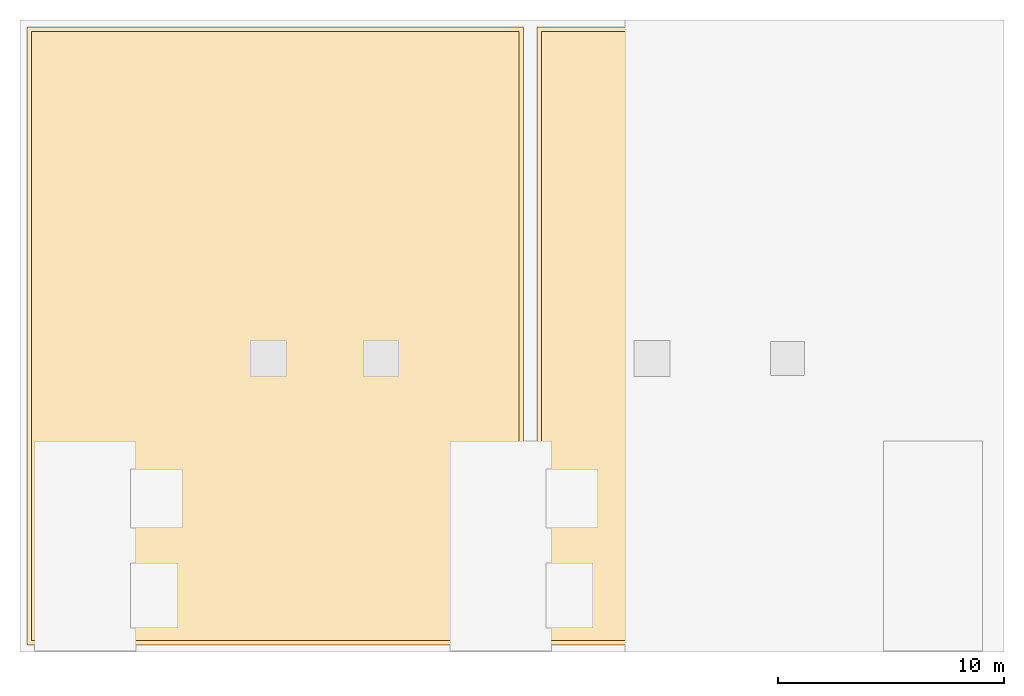
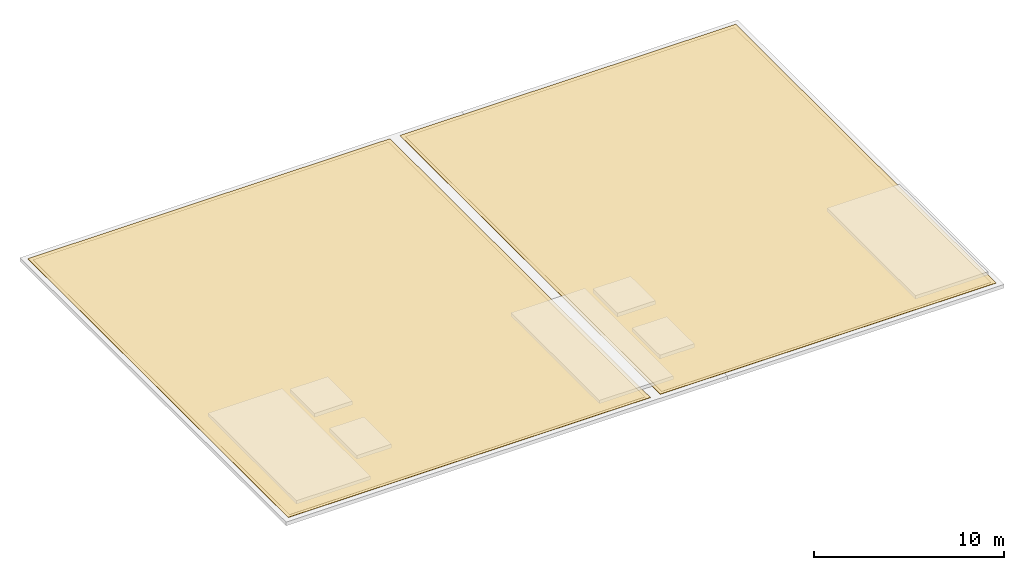
# One storey, part 2 of 2: 4 coverings.
"""IFC4 building model written with IfcOpenShell, lengths in metres."""

from ifc_helpers import new_model, si_unit, direction, frame, origin, place, context, subcontext, project, spatial, polyline, outline, extrude, material, layer, layer_set, type_object, element, save


model = new_model("IFC4")

# Units and contexts
model_context = context("Model", 3, precision=1e-05, world=origin(), true_north=direction((0.0, 1.0)))
body_context = subcontext(model_context, "Body", "Model", "MODEL_VIEW")
ifc_project = project(units=[si_unit("LENGTHUNIT", "METRE"), si_unit("AREAUNIT", "SQUARE_METRE"), si_unit("VOLUMEUNIT", "CUBIC_METRE"), si_unit("PLANEANGLEUNIT", "RADIAN"), si_unit("MASSUNIT", "GRAM", prefix="KILO")], contexts=[model_context])

# Site, building, storey
site_placement = place(None, origin())
site = spatial("IfcSite", under=ifc_project, at=site_placement, CompositionType="ELEMENT")
building_placement = place(site_placement, origin())
building = spatial("IfcBuilding", under=site, at=building_placement, Name="Sitalva Quay Ferry Terminal", CompositionType="ELEMENT")
storey_placement = place(building_placement, frame((0.0, 0.0, 22.800048828125)))
storey = spatial("IfcBuildingStorey", under=building, at=storey_placement, Name="RF", CompositionType="ELEMENT", Elevation=22.800048828125)

# Coverings
ifc_material_1 = material(Name="Marine Vapour Barrier Membrane", Category="polymer")
ifc_layer_1 = layer(ifc_material_1, 0.02490234375)
ifc_layer_set_1 = layer_set([ifc_layer_1], Name="Marine Vapour Barrier Membrane")
covering_type_1 = type_object("IfcCoveringType", Name="Covering_AcousticSoffit_25", PredefinedType="MEMBRANE", material=ifc_layer_set_1)
covering_1_placement = place(storey_placement, frame((0.0, 0.0, -0.025146484375)))
element("IfcCovering", 1, at=covering_1_placement, inside=storey, type_object=covering_type_1, Name="Vapour barrier membrane 02", PredefinedType="MEMBRANE", context=body_context, shape_type="SweptSolid", body=[
    extrude(outline(polyline([(74.5, 78.5), (96.10009765625, 78.5), (96.10009765625, 105.5), (74.5, 105.5), (74.5, 78.5)])), origin(), (0.0, 0.0, 1.0), 0.025146484375),
])
covering_2_placement = place(storey_placement, frame((0.0, 0.0, -0.025146484375)))
element("IfcCovering", 2, at=covering_2_placement, inside=storey, type_object=covering_type_1, Name="Vapour barrier membrane 04", PredefinedType="MEMBRANE", context=body_context, shape_type="SweptSolid", body=[
    extrude(outline(polyline([(97.10009765625, 78.5), (117.10009765625, 78.5), (117.10009765625, 105.5), (97.10009765625, 105.5), (97.10009765625, 78.5)])), origin(), (0.0, 0.0, 1.0), 0.025146484375),
])
ifc_material_2 = material(Name="Pale Reflective TPO Waterproof Membrane", Category="polymer")
ifc_layer_2 = layer(ifc_material_2, 0.01806640625)
ifc_layer_set_2 = layer_set([ifc_layer_2], Name="Pale Reflective TPO Waterproof Membrane")
covering_type_2 = type_object("IfcCoveringType", Name="Covering_TPO_Roof_18", PredefinedType="ROOFING", material=ifc_layer_set_2)
covering_3_placement = place(storey_placement, origin())
element("IfcCovering", 3, at=covering_3_placement, inside=storey, type_object=covering_type_2, Name="TPO waterproof roof membrane 01", PredefinedType="ROOFING", context=body_context, shape_type="SweptSolid", body=[
    extrude(outline(polyline([(74.300048828125, 78.300048828125), (96.300048828125, 78.300048828125), (96.300048828125, 105.699951171875), (74.300048828125, 105.699951171875), (74.300048828125, 78.300048828125)])), origin(), (0.0, 0.0, 1.0), 0.01806640625),
])
covering_4_placement = place(storey_placement, origin())
element("IfcCovering", 4, at=covering_4_placement, inside=storey, type_object=covering_type_2, Name="TPO waterproof roof membrane 03", PredefinedType="ROOFING", context=body_context, shape_type="SweptSolid", body=[
    extrude(outline(polyline([(96.89990234375, 78.300048828125), (117.300048828125, 78.300048828125), (117.300048828125, 105.699951171875), (96.89990234375, 105.699951171875), (96.89990234375, 78.300048828125)])), origin(), (0.0, 0.0, 1.0), 0.01806640625),
])

save(model, "model.ifc")
